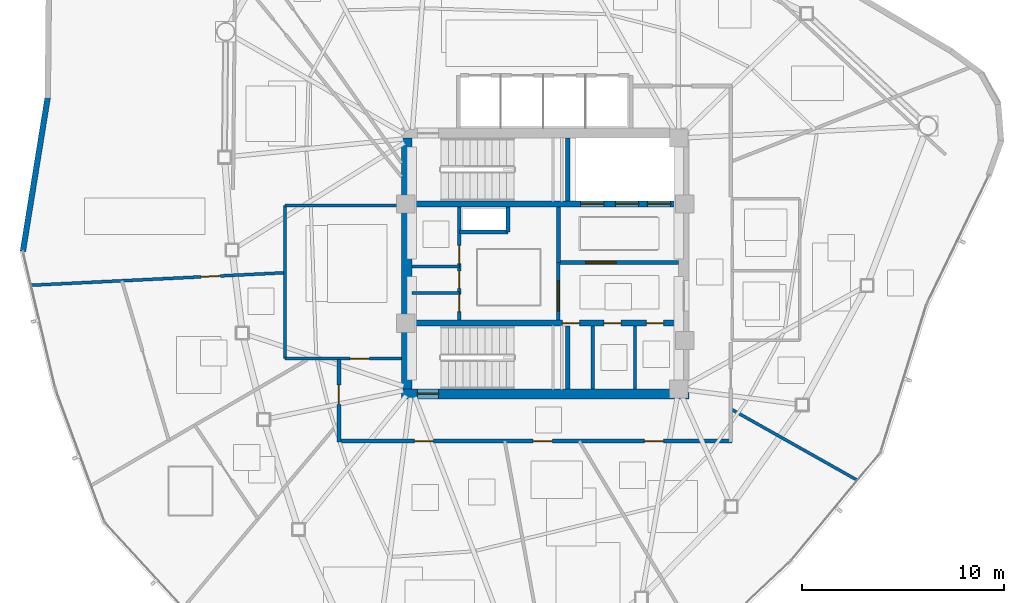
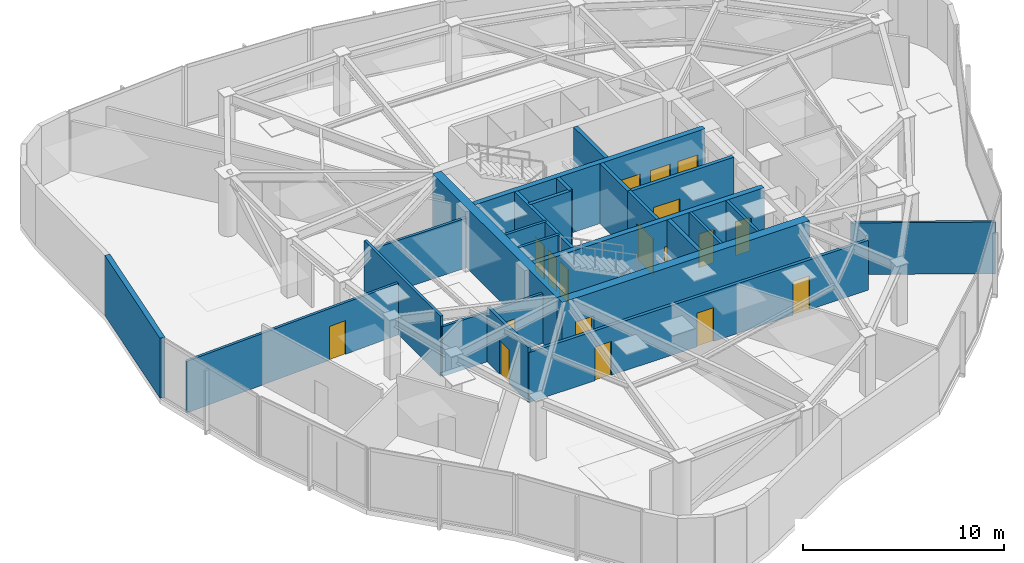
# One storey, part 8 of 13: 24 walls, 18 doors, 18 openings.
"""IFC4 building model written with IfcOpenShell, lengths in metres."""

from ifc_helpers import new_model, si_unit, direction, frame, frame_2d, origin, place, context, subcontext, project, spatial, rectangle, extrude, material, layer, layer_set, type_object, element, fill, save


model = new_model("IFC4")

# Units and contexts
model_context = context("Model", 3, precision=1e-05, world=origin(), true_north=direction((0.0, 1.0)))
body_context = subcontext(model_context, "Body", "Model", "MODEL_VIEW")
ifc_project = project(units=[si_unit("LENGTHUNIT", "METRE"), si_unit("AREAUNIT", "SQUARE_METRE"), si_unit("VOLUMEUNIT", "CUBIC_METRE"), si_unit("PLANEANGLEUNIT", "RADIAN"), si_unit("MASSUNIT", "GRAM", prefix="KILO")], contexts=[model_context])

# Site, building, storey
site_placement = place(None, origin())
site = spatial("IfcSite", under=ifc_project, at=site_placement, CompositionType="ELEMENT")
building_placement = place(site_placement, origin())
building = spatial("IfcBuilding", under=site, at=building_placement, Name="Tavelor Broadcast Tower", CompositionType="ELEMENT")
storey_placement = place(building_placement, frame((0.0, 0.0, 237.949951171875)))
storey = spatial("IfcBuildingStorey", under=building, at=storey_placement, Name="L56", CompositionType="ELEMENT", Elevation=237.949951171875)

# Wall, opening, door
ifc_material_1 = material(Name="Concrete C50/60", Category="concrete")
ifc_layer_1 = layer(ifc_material_1, 0.5)
ifc_layer_set_1 = layer_set([ifc_layer_1], Name="Concrete C50/60")
wall_type_1 = type_object("IfcWallType", Name="Core Shear Wall 500 mm", PredefinedType="SHEAR", material=ifc_layer_set_1)
wall_1_placement = place(storey_placement, frame((42.89990234375, 38.550048828125, 0.0), z_axis=(0.0, 0.0, 1.0), x_axis=(1.0, 0.0, 0.0)))
wall_1 = element("IfcWall", 1, at=wall_1_placement, inside=storey, type_object=wall_type_1, Name="L56 Central Core Shear Wall S", PredefinedType="SHEAR", context=body_context, shape_type="SweptSolid", body=[
    extrude(rectangle(XDim=14.2001953125, YDim=0.5, at=frame_2d((7.10009765625, 0.0))), origin(), (0.0, 0.0, 1.0), 3.650146484375),
])
opening_1_placement = place(wall_1_placement, frame((0.780029296875, 0.0, 0.0)))
opening_1 = element("IfcOpeningElement", 2, at=opening_1_placement, cuts=wall_1, Name="Opening DR11", PredefinedType="OPENING", context=body_context, shape_type="SweptSolid", body=[
    extrude(rectangle(XDim=1.050048828125, YDim=2.199951171875, at=frame_2d((0.52490234375, 1.10009765625))), frame((0.0, 0.260009765625, 0.0), z_axis=(0.0, -1.0, 0.0), x_axis=(1.0, 0.0, 0.0)), (0.0, 0.0, 1.0), 0.52001953125),
])
ifc_material_2 = material(Name="Steel S355", Category="steel")
door_type_1 = type_object("IfcDoorType", Name="Stair Core Fire Escape Door 1050x2200", OperationType="NOTDEFINED", PredefinedType="DOOR", material=ifc_material_2)
door_1_placement = place(opening_1_placement, origin())
door_1 = element("IfcDoor", 3, at=door_1_placement, inside=storey, type_object=door_type_1, Name="L56 Stair ST2 Protected Exit Door", OperationType="SINGLE_SWING_RIGHT", OverallHeight=2.199951171875, OverallWidth=1.050048828125, PredefinedType="DOOR", context=body_context, shape_type="SweptSolid", body=[
    extrude(rectangle(XDim=1.050048828125, YDim=2.199951171875, at=frame_2d((0.52490234375, 1.10009765625))), frame((0.0, 0.02490234375, 0.0), z_axis=(0.0, -1.0, 0.0), x_axis=(1.0, 0.0, 0.0)), (0.0, 0.0, 1.0), 0.050048828125),
])
fill(opening_1, door_1)

# Wall
wall_2_placement = place(storey_placement, frame((43.14990234375, 38.800048828125, 0.0), z_axis=(0.0, 0.0, 1.0), x_axis=(0.0, 1.0, 0.0)))
element("IfcWall", 4, at=wall_2_placement, inside=storey, type_object=wall_type_1, Name="L56 Central Core Shear Wall W", PredefinedType="SHEAR", context=body_context, shape_type="SweptSolid", body=[
    extrude(rectangle(XDim=12.39990234375, YDim=0.5, at=frame_2d((6.199951171875, 0.0))), origin(), (0.0, 0.0, 1.0), 3.650146484375),
])

# Wall, openings, doors
ifc_layer_2 = layer(ifc_material_1, 0.300048828125)
ifc_layer_set_2 = layer_set([ifc_layer_2], Name="Concrete C50/60")
wall_type_2 = type_object("IfcWallType", Name="Core Spine Shear Wall 300 mm C50", PredefinedType="SHEAR", material=ifc_layer_set_2)
wall_3_placement = place(storey_placement, frame((43.39990234375, 47.949951171875, 0.0), z_axis=(0.0, 0.0, 1.0), x_axis=(1.0, 0.0, 0.0)))
wall_3 = element("IfcWall", 5, at=wall_3_placement, inside=storey, type_object=wall_type_2, Name="L56 Central Core Shear Wall SP1", PredefinedType="SHEAR", context=body_context, shape_type="SweptSolid", body=[
    extrude(rectangle(XDim=13.2001953125, YDim=0.300048828125, at=frame_2d((6.60009765625, 0.0))), origin(), (0.0, 0.0, 1.0), 3.650146484375),
])
opening_2_placement = place(wall_3_placement, frame((8.344970703125, 0.0, 0.0)))
opening_2 = element("IfcOpeningElement", 6, at=opening_2_placement, cuts=wall_3, Name="Opening LD02", PredefinedType="OPENING", context=body_context, shape_type="SweptSolid", body=[
    extrude(rectangle(XDim=1.14990234375, YDim=2.199951171875, at=frame_2d((0.574951171875, 1.10009765625))), frame((0.0, 0.16015625, 0.0), z_axis=(0.0, -1.0, 0.0), x_axis=(1.0, 0.0, 0.0)), (0.0, 0.0, 1.0), 0.320068359375),
])
opening_3_placement = place(wall_3_placement, frame((10.06494140625, 0.0, 0.0)))
opening_3 = element("IfcOpeningElement", 7, at=opening_3_placement, cuts=wall_3, Name="Opening LD02", PredefinedType="OPENING", context=body_context, shape_type="SweptSolid", body=[
    extrude(rectangle(XDim=1.14990234375, YDim=2.199951171875, at=frame_2d((0.574951171875, 1.10009765625))), frame((0.0, 0.16015625, 0.0), z_axis=(0.0, -1.0, 0.0), x_axis=(1.0, 0.0, 0.0)), (0.0, 0.0, 1.0), 0.320068359375),
])
opening_4_placement = place(wall_3_placement, frame((11.64501953125, 0.0, 0.0)))
opening_4 = element("IfcOpeningElement", 8, at=opening_4_placement, cuts=wall_3, Name="Opening LD03", PredefinedType="OPENING", context=body_context, shape_type="SweptSolid", body=[
    extrude(rectangle(XDim=1.14990234375, YDim=2.199951171875, at=frame_2d((0.574951171875, 1.10009765625))), frame((0.0, 0.16015625, 0.0), z_axis=(0.0, -1.0, 0.0), x_axis=(1.0, 0.0, 0.0)), (0.0, 0.0, 1.0), 0.320068359375),
])
ifc_material_3 = material(Name="Reinforced Brushed Stainless Steel", Category="concrete")
door_type_2 = type_object("IfcDoorType", Name="Broadcast Goods Lift Sliding Landing Door 1250x2200", OperationType="NOTDEFINED", PredefinedType="DOOR", material=ifc_material_3)
door_2_placement = place(opening_4_placement, origin())
door_2 = element("IfcDoor", 9, at=door_2_placement, inside=storey, type_object=door_type_2, Name="L56 Lift SVL1 Sliding Landing Door", OperationType="SLIDING_TO_LEFT", OverallHeight=2.199951171875, OverallWidth=1.14990234375, PredefinedType="DOOR", context=body_context, shape_type="SweptSolid", body=[
    extrude(rectangle(XDim=1.14990234375, YDim=2.199951171875, at=frame_2d((0.574951171875, 1.10009765625))), frame((0.0, 0.02490234375, 0.0), z_axis=(0.0, -1.0, 0.0), x_axis=(1.0, 0.0, 0.0)), (0.0, 0.0, 1.0), 0.050048828125),
])
fill(opening_4, door_2)
ifc_material_4 = material(Name="Fire-Rated Stainless Steel", Category="steel")
door_type_3 = type_object("IfcDoorType", Name="Firefighting Lift Sliding Landing Door 1200x2200", OperationType="NOTDEFINED", PredefinedType="DOOR", material=ifc_material_4)
door_3_placement = place(opening_2_placement, origin())
door_3 = element("IfcDoor", 10, at=door_3_placement, inside=storey, type_object=door_type_3, Name="L56 Lift FFL1 Sliding Landing Door", OperationType="SLIDING_TO_LEFT", OverallHeight=2.199951171875, OverallWidth=1.14990234375, PredefinedType="DOOR", context=body_context, shape_type="SweptSolid", body=[
    extrude(rectangle(XDim=1.14990234375, YDim=2.199951171875, at=frame_2d((0.574951171875, 1.10009765625))), frame((0.0, 0.02490234375, 0.0), z_axis=(0.0, -1.0, 0.0), x_axis=(1.0, 0.0, 0.0)), (0.0, 0.0, 1.0), 0.050048828125),
])
fill(opening_2, door_3)
door_4_placement = place(opening_3_placement, origin())
door_4 = element("IfcDoor", 11, at=door_4_placement, inside=storey, type_object=door_type_3, Name="L56 Lift FFL2 Sliding Landing Door", OperationType="SLIDING_TO_LEFT", OverallHeight=2.199951171875, OverallWidth=1.14990234375, PredefinedType="DOOR", context=body_context, shape_type="SweptSolid", body=[
    extrude(rectangle(XDim=1.14990234375, YDim=2.199951171875, at=frame_2d((0.574951171875, 1.10009765625))), frame((0.0, 0.02490234375, 0.0), z_axis=(0.0, -1.0, 0.0), x_axis=(1.0, 0.0, 0.0)), (0.0, 0.0, 1.0), 0.050048828125),
])
fill(opening_3, door_4)

wall_4_placement = place(storey_placement, frame((43.39990234375, 42.050048828125, 0.0), z_axis=(0.0, 0.0, 1.0), x_axis=(1.0, 0.0, 0.0)))
wall_4 = element("IfcWall", 12, at=wall_4_placement, inside=storey, type_object=wall_type_2, Name="L56 Central Core Shear Wall SP2", PredefinedType="SHEAR", context=body_context, shape_type="SweptSolid", body=[
    extrude(rectangle(XDim=13.2001953125, YDim=0.300048828125, at=frame_2d((6.60009765625, 0.0))), origin(), (0.0, 0.0, 1.0), 3.650146484375),
])
opening_5_placement = place(wall_4_placement, frame((7.449951171875, 0.0, 0.0)))
opening_5 = element("IfcOpeningElement", 13, at=opening_5_placement, cuts=wall_4, Name="Opening DR36", PredefinedType="OPENING", context=body_context, shape_type="SweptSolid", body=[
    extrude(rectangle(XDim=0.85009765625, YDim=2.050048828125, at=frame_2d((0.425048828125, 1.02490234375))), frame((0.0, 0.16015625, 0.0), z_axis=(0.0, -1.0, 0.0), x_axis=(1.0, 0.0, 0.0)), (0.0, 0.0, 1.0), 0.320068359375),
])
opening_6_placement = place(wall_4_placement, frame((9.5, 0.0, 0.0)))
opening_6 = element("IfcOpeningElement", 14, at=opening_6_placement, cuts=wall_4, Name="Opening DR36", PredefinedType="OPENING", context=body_context, shape_type="SweptSolid", body=[
    extrude(rectangle(XDim=0.85009765625, YDim=2.050048828125, at=frame_2d((0.425048828125, 1.02490234375))), frame((0.0, 0.16015625, 0.0), z_axis=(0.0, -1.0, 0.0), x_axis=(1.0, 0.0, 0.0)), (0.0, 0.0, 1.0), 0.320068359375),
])
opening_7_placement = place(wall_4_placement, frame((11.60009765625, 0.0, 0.0)))
opening_7 = element("IfcOpeningElement", 15, at=opening_7_placement, cuts=wall_4, Name="Opening DR36", PredefinedType="OPENING", context=body_context, shape_type="SweptSolid", body=[
    extrude(rectangle(XDim=0.85009765625, YDim=2.050048828125, at=frame_2d((0.425048828125, 1.02490234375))), frame((0.0, 0.16015625, 0.0), z_axis=(0.0, -1.0, 0.0), x_axis=(1.0, 0.0, 0.0)), (0.0, 0.0, 1.0), 0.320068359375),
])
door_type_4 = type_object("IfcDoorType", Name="Service Room Fire Door 850x2050", OperationType="NOTDEFINED", PredefinedType="DOOR", material=ifc_material_2)
door_5_placement = place(opening_5_placement, origin())
door_5 = element("IfcDoor", 16, at=door_5_placement, inside=storey, type_object=door_type_4, Name="L56 Reclaimed South Core Pod 1 Door", OperationType="SINGLE_SWING_RIGHT", OverallHeight=2.050048828125, OverallWidth=0.85009765625, PredefinedType="DOOR", context=body_context, shape_type="SweptSolid", body=[
    extrude(rectangle(XDim=0.85009765625, YDim=2.050048828125, at=frame_2d((0.425048828125, 1.02490234375))), frame((0.0, 0.02490234375, 0.0), z_axis=(0.0, -1.0, 0.0), x_axis=(1.0, 0.0, 0.0)), (0.0, 0.0, 1.0), 0.050048828125),
])
fill(opening_5, door_5)
door_6_placement = place(opening_6_placement, origin())
door_6 = element("IfcDoor", 17, at=door_6_placement, inside=storey, type_object=door_type_4, Name="L56 Reclaimed South Core Pod 2 Door", OperationType="SINGLE_SWING_LEFT", OverallHeight=2.050048828125, OverallWidth=0.85009765625, PredefinedType="DOOR", context=body_context, shape_type="SweptSolid", body=[
    extrude(rectangle(XDim=0.85009765625, YDim=2.050048828125, at=frame_2d((0.425048828125, 1.02490234375))), frame((0.0, 0.02490234375, 0.0), z_axis=(0.0, -1.0, 0.0), x_axis=(1.0, 0.0, 0.0)), (0.0, 0.0, 1.0), 0.050048828125),
])
fill(opening_6, door_6)
door_7_placement = place(opening_7_placement, origin())
door_7 = element("IfcDoor", 18, at=door_7_placement, inside=storey, type_object=door_type_4, Name="L56 Reclaimed South Core Pod 3 Door", OperationType="SINGLE_SWING_RIGHT", OverallHeight=2.050048828125, OverallWidth=0.85009765625, PredefinedType="DOOR", context=body_context, shape_type="SweptSolid", body=[
    extrude(rectangle(XDim=0.85009765625, YDim=2.050048828125, at=frame_2d((0.425048828125, 1.02490234375))), frame((0.0, 0.02490234375, 0.0), z_axis=(0.0, -1.0, 0.0), x_axis=(1.0, 0.0, 0.0)), (0.0, 0.0, 1.0), 0.050048828125),
])
fill(opening_7, door_7)

# Wall, opening, door
ifc_material_5 = material(Name="Calcium Silicate Fire Board 180 mm", Category="gypsum")
ifc_layer_3 = layer(ifc_material_5, 0.179931640625)
ifc_layer_set_3 = layer_set([ifc_layer_3], Name="Calcium Silicate Fire Board 180 mm")
wall_type_3 = type_object("IfcWallType", Name="Fire-Rated Corridor Partition Wall 180 mm", PredefinedType="PARTITIONING", material=ifc_layer_set_3)
wall_5_placement = place(storey_placement, frame((50.64990234375, 42.199951171875, 0.0), z_axis=(0.0, 0.0, 1.0), x_axis=(0.0, 1.0, 0.0)))
wall_5 = element("IfcWall", 19, at=wall_5_placement, inside=storey, type_object=wall_type_3, Name="L56 Core Lobby Zoning Wall", PredefinedType="PARTITIONING", context=body_context, shape_type="SweptSolid", body=[
    extrude(rectangle(XDim=2.85009765625, YDim=0.179931640625, at=frame_2d((1.425048828125, 0.0))), origin(), (0.0, 0.0, 1.0), 3.650146484375),
])
opening_8_placement = place(wall_5_placement, frame((0.449951171875, 0.0, 0.0)))
opening_8 = element("IfcOpeningElement", 20, at=opening_8_placement, cuts=wall_5, Name="Opening DR14", PredefinedType="OPENING", context=body_context, shape_type="SweptSolid", body=[
    extrude(rectangle(XDim=1.5, YDim=2.199951171875, at=frame_2d((0.75, 1.10009765625))), frame((0.0, 0.10009765625, 0.0), z_axis=(0.0, -1.0, 0.0), x_axis=(1.0, 0.0, 0.0)), (0.0, 0.0, 1.0), 0.199951171875),
])
door_type_5 = type_object("IfcDoorType", Name="Firefighting Lobby Double Fire Door 1500x2200", OperationType="NOTDEFINED", PredefinedType="DOOR", material=ifc_material_2)
door_8_placement = place(opening_8_placement, origin())
door_8 = element("IfcDoor", 21, at=door_8_placement, inside=storey, type_object=door_type_5, Name="L56 Core West Lobby Double Fire Door", OperationType="SINGLE_SWING_LEFT", OverallHeight=2.199951171875, OverallWidth=1.5, PredefinedType="DOOR", context=body_context, shape_type="SweptSolid", body=[
    extrude(rectangle(XDim=1.5, YDim=2.199951171875, at=frame_2d((0.75, 1.10009765625))), frame((0.0, 0.02490234375, 0.0), z_axis=(0.0, -1.0, 0.0), x_axis=(1.0, 0.0, 0.0)), (0.0, 0.0, 1.0), 0.050048828125),
])
fill(opening_8, door_8)

# Wall, openings, doors
wall_6_placement = place(storey_placement, frame((45.75, 42.199951171875, 0.0), z_axis=(0.0, 0.0, 1.0), x_axis=(0.0, 1.0, 0.0)))
wall_6 = element("IfcWall", 22, at=wall_6_placement, inside=storey, type_object=wall_type_3, Name="L56 Core West Service East Wall", PredefinedType="PARTITIONING", context=body_context, shape_type="SweptSolid", body=[
    extrude(rectangle(XDim=5.60009765625, YDim=0.179931640625, at=frame_2d((2.800048828125, 0.0))), origin(), (0.0, 0.0, 1.0), 3.650146484375),
])
opening_9_placement = place(wall_6_placement, frame((0.419921875, 0.0, 0.0)))
opening_9 = element("IfcOpeningElement", 23, at=opening_9_placement, cuts=wall_6, Name="Opening DR36", PredefinedType="OPENING", context=body_context, shape_type="SweptSolid", body=[
    extrude(rectangle(XDim=0.85009765625, YDim=2.050048828125, at=frame_2d((0.425048828125, 1.02490234375))), frame((0.0, 0.10009765625, 0.0), z_axis=(0.0, -1.0, 0.0), x_axis=(1.0, 0.0, 0.0)), (0.0, 0.0, 1.0), 0.199951171875),
])
opening_10_placement = place(wall_6_placement, frame((1.570068359375, 0.0, 0.0)))
opening_10 = element("IfcOpeningElement", 24, at=opening_10_placement, cuts=wall_6, Name="Opening DR36", PredefinedType="OPENING", context=body_context, shape_type="SweptSolid", body=[
    extrude(rectangle(XDim=0.85009765625, YDim=2.050048828125, at=frame_2d((0.425048828125, 1.02490234375))), frame((0.0, 0.10009765625, 0.0), z_axis=(0.0, -1.0, 0.0), x_axis=(1.0, 0.0, 0.0)), (0.0, 0.0, 1.0), 0.199951171875),
])
opening_11_placement = place(wall_6_placement, frame((2.800048828125, 0.0, 0.0)))
opening_11 = element("IfcOpeningElement", 25, at=opening_11_placement, cuts=wall_6, Name="Opening DR32", PredefinedType="OPENING", context=body_context, shape_type="SweptSolid", body=[
    extrude(rectangle(XDim=0.89990234375, YDim=2.050048828125, at=frame_2d((0.449951171875, 1.02490234375))), frame((0.0, 0.10009765625, 0.0), z_axis=(0.0, -1.0, 0.0), x_axis=(1.0, 0.0, 0.0)), (0.0, 0.0, 1.0), 0.199951171875),
])
ifc_material_6 = material(Name="Timber Solid Core Hardwood", Category="wood")
door_type_6 = type_object("IfcDoorType", Name="Accessible Washroom Door 900x2050", OperationType="NOTDEFINED", PredefinedType="DOOR", material=ifc_material_6)
door_9_placement = place(opening_11_placement, origin())
door_9 = element("IfcDoor", 26, at=door_9_placement, inside=storey, type_object=door_type_6, Name="L56 Core Accessible WC Door", OperationType="SINGLE_SWING_LEFT", OverallHeight=2.050048828125, OverallWidth=0.89990234375, PredefinedType="DOOR", context=body_context, shape_type="SweptSolid", body=[
    extrude(rectangle(XDim=0.89990234375, YDim=2.050048828125, at=frame_2d((0.449951171875, 1.02490234375))), frame((0.0, 0.02490234375, 0.0), z_axis=(0.0, -1.0, 0.0), x_axis=(1.0, 0.0, 0.0)), (0.0, 0.0, 1.0), 0.050048828125),
])
fill(opening_11, door_9)
door_10_placement = place(opening_9_placement, origin())
door_10 = element("IfcDoor", 27, at=door_10_placement, inside=storey, type_object=door_type_4, Name="L56 Core Medical Room Door", OperationType="SINGLE_SWING_LEFT", OverallHeight=2.050048828125, OverallWidth=0.85009765625, PredefinedType="DOOR", context=body_context, shape_type="SweptSolid", body=[
    extrude(rectangle(XDim=0.85009765625, YDim=2.050048828125, at=frame_2d((0.425048828125, 1.02490234375))), frame((0.0, 0.02490234375, 0.0), z_axis=(0.0, -1.0, 0.0), x_axis=(1.0, 0.0, 0.0)), (0.0, 0.0, 1.0), 0.050048828125),
])
fill(opening_9, door_10)
door_11_placement = place(opening_10_placement, origin())
door_11 = element("IfcDoor", 28, at=door_11_placement, inside=storey, type_object=door_type_4, Name="L56 Core Copy Room Door", OperationType="SINGLE_SWING_RIGHT", OverallHeight=2.050048828125, OverallWidth=0.85009765625, PredefinedType="DOOR", context=body_context, shape_type="SweptSolid", body=[
    extrude(rectangle(XDim=0.85009765625, YDim=2.050048828125, at=frame_2d((0.425048828125, 1.02490234375))), frame((0.0, 0.02490234375, 0.0), z_axis=(0.0, -1.0, 0.0), x_axis=(1.0, 0.0, 0.0)), (0.0, 0.0, 1.0), 0.050048828125),
])
fill(opening_10, door_11)

wall_7_placement = place(storey_placement, frame((59.22998046875, 36.219970703125, 0.0), z_axis=(0.0, 0.0, 1.0), x_axis=(-1.0, 0.0, 0.0)))
wall_7 = element("IfcWall", 29, at=wall_7_placement, inside=storey, type_object=wall_type_3, Name="L56 Corridor Compartment Wall 04", PredefinedType="PARTITIONING", context=body_context, shape_type="SweptSolid", body=[
    extrude(rectangle(XDim=19.47998046875, YDim=0.179931640625, at=frame_2d((9.739990234375, 0.0))), origin(), (0.0, 0.0, 1.0), 3.025146484375),
])
opening_12_placement = place(wall_7_placement, frame((3.378173828125, 0.0, 0.0)))
opening_12 = element("IfcOpeningElement", 30, at=opening_12_placement, cuts=wall_7, Name="Opening DR18", PredefinedType="OPENING", context=body_context, shape_type="SweptSolid", body=[
    extrude(rectangle(XDim=0.949951171875, YDim=2.050048828125, at=frame_2d((0.47509765625, 1.02490234375))), frame((0.0, 0.10009765625, 0.0), z_axis=(0.0, -1.0, 0.0), x_axis=(1.0, 0.0, 0.0)), (0.0, 0.0, 1.0), 0.199951171875),
])
opening_13_placement = place(wall_7_placement, frame((8.880126953125, 0.0, 0.0)))
opening_13 = element("IfcOpeningElement", 31, at=opening_13_placement, cuts=wall_7, Name="Opening DR18", PredefinedType="OPENING", context=body_context, shape_type="SweptSolid", body=[
    extrude(rectangle(XDim=0.949951171875, YDim=2.050048828125, at=frame_2d((0.47509765625, 1.02490234375))), frame((0.0, 0.10009765625, 0.0), z_axis=(0.0, -1.0, 0.0), x_axis=(1.0, 0.0, 0.0)), (0.0, 0.0, 1.0), 0.199951171875),
])
opening_14_placement = place(wall_7_placement, frame((14.755859375, 0.0, 0.0)))
opening_14 = element("IfcOpeningElement", 32, at=opening_14_placement, cuts=wall_7, Name="Opening DR18", PredefinedType="OPENING", context=body_context, shape_type="SweptSolid", body=[
    extrude(rectangle(XDim=0.949951171875, YDim=2.050048828125, at=frame_2d((0.47509765625, 1.02490234375))), frame((0.0, 0.10009765625, 0.0), z_axis=(0.0, -1.0, 0.0), x_axis=(1.0, 0.0, 0.0)), (0.0, 0.0, 1.0), 0.199951171875),
])
door_type_7 = type_object("IfcDoorType", Name="Corridor Rated Compartment Door 950x2050", OperationType="NOTDEFINED", PredefinedType="DOOR", material=ifc_material_6)
door_12_placement = place(opening_12_placement, origin())
door_12 = element("IfcDoor", 33, at=door_12_placement, inside=storey, type_object=door_type_7, Name="L56 Syndication Legal Office Door R0", OperationType="SINGLE_SWING_RIGHT", OverallHeight=2.050048828125, OverallWidth=0.949951171875, PredefinedType="DOOR", context=body_context, shape_type="SweptSolid", body=[
    extrude(rectangle(XDim=0.949951171875, YDim=2.050048828125, at=frame_2d((0.47509765625, 1.02490234375))), frame((0.0, 0.02490234375, 0.0), z_axis=(0.0, -1.0, 0.0), x_axis=(1.0, 0.0, 0.0)), (0.0, 0.0, 1.0), 0.050048828125),
])
fill(opening_12, door_12)
door_13_placement = place(opening_13_placement, origin())
door_13 = element("IfcDoor", 34, at=door_13_placement, inside=storey, type_object=door_type_7, Name="L56 International Bureau Office Door R1", OperationType="SINGLE_SWING_LEFT", OverallHeight=2.050048828125, OverallWidth=0.949951171875, PredefinedType="DOOR", context=body_context, shape_type="SweptSolid", body=[
    extrude(rectangle(XDim=0.949951171875, YDim=2.050048828125, at=frame_2d((0.47509765625, 1.02490234375))), frame((0.0, 0.02490234375, 0.0), z_axis=(0.0, -1.0, 0.0), x_axis=(1.0, 0.0, 0.0)), (0.0, 0.0, 1.0), 0.050048828125),
])
fill(opening_13, door_13)
door_14_placement = place(opening_14_placement, origin())
door_14 = element("IfcDoor", 35, at=door_14_placement, inside=storey, type_object=door_type_7, Name="L56 Documentary Planning Office Door R2", OperationType="SINGLE_SWING_RIGHT", OverallHeight=2.050048828125, OverallWidth=0.949951171875, PredefinedType="DOOR", context=body_context, shape_type="SweptSolid", body=[
    extrude(rectangle(XDim=0.949951171875, YDim=2.050048828125, at=frame_2d((0.47509765625, 1.02490234375))), frame((0.0, 0.02490234375, 0.0), z_axis=(0.0, -1.0, 0.0), x_axis=(1.0, 0.0, 0.0)), (0.0, 0.0, 1.0), 0.050048828125),
])
fill(opening_14, door_14)

# Wall, opening, door
wall_8_placement = place(storey_placement, frame((39.800048828125, 36.169921875, 0.0), z_axis=(0.0, 0.0, 1.0), x_axis=(0.0, 1.0, 0.0)))
wall_8 = element("IfcWall", 36, at=wall_8_placement, inside=storey, type_object=wall_type_3, Name="L56 Corridor Compartment Wall 05", PredefinedType="PARTITIONING", context=body_context, shape_type="SweptSolid", body=[
    extrude(rectangle(XDim=4.080078125, YDim=0.179931640625, at=frame_2d((2.0400390625, 0.0))), origin(), (0.0, 0.0, 1.0), 3.324951171875),
])
opening_15_placement = place(wall_8_placement, frame((1.86767578125, 0.0, 0.0)))
opening_15 = element("IfcOpeningElement", 37, at=opening_15_placement, cuts=wall_8, Name="Opening DR18", PredefinedType="OPENING", context=body_context, shape_type="SweptSolid", body=[
    extrude(rectangle(XDim=0.949951171875, YDim=2.050048828125, at=frame_2d((0.47509765625, 1.02490234375))), frame((0.0, 0.10009765625, 0.0), z_axis=(0.0, -1.0, 0.0), x_axis=(1.0, 0.0, 0.0)), (0.0, 0.0, 1.0), 0.199951171875),
])
door_15_placement = place(opening_15_placement, origin())
door_15 = element("IfcDoor", 38, at=door_15_placement, inside=storey, type_object=door_type_7, Name="L56 Press Concierge Desk Door R10", OperationType="SINGLE_SWING_LEFT", OverallHeight=2.050048828125, OverallWidth=0.949951171875, PredefinedType="DOOR", context=body_context, shape_type="SweptSolid", body=[
    extrude(rectangle(XDim=0.949951171875, YDim=2.050048828125, at=frame_2d((0.47509765625, 1.02490234375))), frame((0.0, 0.02490234375, 0.0), z_axis=(0.0, -1.0, 0.0), x_axis=(1.0, 0.0, 0.0)), (0.0, 0.0, 1.0), 0.050048828125),
])
fill(opening_15, door_15)

# Walls
ifc_material_7 = material(Name="Precast Concrete C40/50", Category="concrete")
ifc_layer_4 = layer(ifc_material_7, 0.280029296875)
ifc_layer_set_4 = layer_set([ifc_layer_4], Name="Precast Concrete C40/50")
wall_type_4 = type_object("IfcWallType", Name="Insulated Precast Terracotta Facade Wall 280 mm", PredefinedType="STANDARD", material=ifc_layer_set_4)
wall_9_placement = place(storey_placement, frame((25.396484375, 53.21435546875, 0.0), z_axis=(0.0, 0.0, 1.0), x_axis=(-0.159151844827, -0.987254116369, 0.0)))
element("IfcWall", 39, at=wall_9_placement, inside=storey, type_object=wall_type_4, Name="L56 Rounded Corner Structural Cladding Pier 06", PredefinedType="STANDARD", context=body_context, shape_type="SweptSolid", body=[
    extrude(rectangle(XDim=7.714599609375, YDim=0.280029296875, at=frame_2d((3.857421875, 0.0))), origin(), (0.0, 0.0, 1.0), 3.650146484375),
])
ifc_material_8 = material(Name="Gypsum Acoustic Plasterboard 150 mm", Category="gypsum")
ifc_layer_5 = layer(ifc_material_8, 0.14990234375)
ifc_layer_set_5 = layer_set([ifc_layer_5], Name="Gypsum Acoustic Plasterboard 150 mm")
wall_type_5 = type_object("IfcWallType", Name="Interior Acoustic Partition Wall 150 mm", PredefinedType="PARTITIONING", material=ifc_layer_set_5)
for number, where, z_axis, x_axis, name in (
    (40, (52.35009765625, 38.800048828125, 0.0), (0.0, 0.0, 1.0), (0.0, 1.0, 0.0), "L56 Reclaimed South Core Divider 1"),
    (41, (54.449951171875, 38.800048828125, 0.0), (0.0, 0.0, 1.0), (0.0, 1.0, 0.0), "L56 Reclaimed South Core Divider 2"),
):
    element("IfcWall", number, at=place(storey_placement, frame(where, z_axis=z_axis, x_axis=x_axis)), inside=storey, type_object=wall_type_5, Name=name, PredefinedType="PARTITIONING", context=body_context, shape_type="SweptSolid", body=[
        extrude(rectangle(XDim=3.099853515625, YDim=0.14990234375, at=frame_2d((1.5498046875, 0.0))), origin(), (0.0, 0.0, 1.0), 3.650146484375),
    ])
for number, where, z_axis, x_axis, name in (
    (42, (43.39990234375, 43.550048828125, 0.0), (0.0, 0.0, 1.0), (1.0, 0.0, 0.0), "L56 Core Split Wall B1"),
    (43, (43.39990234375, 44.85009765625, 0.0), (0.0, 0.0, 1.0), (1.0, 0.0, 0.0), "L56 Core Split Wall B2"),
):
    element("IfcWall", number, at=place(storey_placement, frame(where, z_axis=z_axis, x_axis=x_axis)), inside=storey, type_object=wall_type_5, Name=name, PredefinedType="PARTITIONING", context=body_context, shape_type="SweptSolid", body=[
        extrude(rectangle(XDim=2.35009765625, YDim=0.14990234375, at=frame_2d((1.175048828125, 0.0))), origin(), (0.0, 0.0, 1.0), 3.650146484375),
    ])

# Wall, opening, door
wall_10_placement = place(storey_placement, frame((37.139892578125, 40.300048828125, 0.0), z_axis=(0.0, 0.0, 1.0), x_axis=(1.0, 0.0, 0.0)))
wall_10 = element("IfcWall", 44, at=wall_10_placement, inside=storey, type_object=wall_type_5, Name="L56 Reclaimed Shaft Pantry South Wall", PredefinedType="PARTITIONING", context=body_context, shape_type="SweptSolid", body=[
    extrude(rectangle(XDim=5.760009765625, YDim=0.14990234375, at=frame_2d((2.8798828125, 0.0))), origin(), (0.0, 0.0, 1.0), 3.025146484375),
])
opening_16_placement = place(wall_10_placement, frame((3.2099609375, 0.0, 0.0)))
opening_16 = element("IfcOpeningElement", 45, at=opening_16_placement, cuts=wall_10, Name="Opening DR18", PredefinedType="OPENING", context=body_context, shape_type="SweptSolid", body=[
    extrude(rectangle(XDim=0.949951171875, YDim=2.050048828125, at=frame_2d((0.47509765625, 1.02490234375))), frame((0.0, 0.0849609375, 0.0), z_axis=(0.0, -1.0, 0.0), x_axis=(1.0, 0.0, 0.0)), (0.0, 0.0, 1.0), 0.169921875),
])
door_16_placement = place(opening_16_placement, origin())
door_16 = element("IfcDoor", 46, at=door_16_placement, inside=storey, type_object=door_type_7, Name="L56 Broadcast IT Patch and Pantry Door", OperationType="SINGLE_SWING_LEFT", OverallHeight=2.050048828125, OverallWidth=0.949951171875, PredefinedType="DOOR", context=body_context, shape_type="SweptSolid", body=[
    extrude(rectangle(XDim=0.949951171875, YDim=2.050048828125, at=frame_2d((0.47509765625, 1.02490234375))), frame((0.0, 0.02490234375, 0.0), z_axis=(0.0, -1.0, 0.0), x_axis=(1.0, 0.0, 0.0)), (0.0, 0.0, 1.0), 0.050048828125),
])
fill(opening_16, door_16)

# Walls
wall_11_placement = place(storey_placement, frame((37.139892578125, 40.300048828125, 0.0), z_axis=(0.0, 0.0, 1.0), x_axis=(0.0, 1.0, 0.0)))
element("IfcWall", 47, at=wall_11_placement, inside=storey, type_object=wall_type_5, Name="L56 Reclaimed Shaft Pantry West Wall", PredefinedType="PARTITIONING", context=body_context, shape_type="SweptSolid", body=[
    extrude(rectangle(XDim=7.579833984375, YDim=0.14990234375, at=frame_2d((3.7900390625, 0.0))), origin(), (0.0, 0.0, 1.0), 3.650146484375),
])
wall_12_placement = place(storey_placement, frame((37.139892578125, 47.8798828125, 0.0), z_axis=(0.0, 0.0, 1.0), x_axis=(1.0, 0.0, 0.0)))
element("IfcWall", 48, at=wall_12_placement, inside=storey, type_object=wall_type_5, Name="L56 Reclaimed Shaft Pantry North Wall", PredefinedType="PARTITIONING", context=body_context, shape_type="SweptSolid", body=[
    extrude(rectangle(XDim=5.760009765625, YDim=0.14990234375, at=frame_2d((2.8798828125, 0.0))), origin(), (0.0, 0.0, 1.0), 3.025146484375),
])

# Wall, opening, door
wall_13_placement = place(storey_placement, frame((37.080078125, 44.541015625, 0.0), z_axis=(0.0, 0.0, 1.0), x_axis=(-0.998789781413, -0.049183051404, 0.0)))
wall_13 = element("IfcWall", 49, at=wall_13_placement, inside=storey, type_object=wall_type_5, Name="L56 Radial Compartment Wall 04", PredefinedType="PARTITIONING", context=body_context, shape_type="SweptSolid", body=[
    extrude(rectangle(XDim=12.538818359375, YDim=0.14990234375, at=frame_2d((6.26953125, 0.0))), origin(), (0.0, 0.0, 1.0), 3.135009765625),
])
opening_17_placement = place(wall_13_placement, frame((3.14990234375, 0.0, 0.0)))
opening_17 = element("IfcOpeningElement", 50, at=opening_17_placement, cuts=wall_13, Name="Opening DR18", PredefinedType="OPENING", context=body_context, shape_type="SweptSolid", body=[
    extrude(rectangle(XDim=0.949951171875, YDim=2.050048828125, at=frame_2d((0.47509765625, 1.02490234375))), frame((0.0, 0.0849609375, 0.0), z_axis=(0.0, -1.0, 0.0), x_axis=(1.0, 0.0, 0.0)), (0.0, 0.0, 1.0), 0.169921875),
])
door_17_placement = place(opening_17_placement, origin())
door_17 = element("IfcDoor", 51, at=door_17_placement, inside=storey, type_object=door_type_7, Name="L56 Suite Connecting Door 9", OperationType="SINGLE_SWING_LEFT", OverallHeight=2.050048828125, OverallWidth=0.949951171875, PredefinedType="DOOR", context=body_context, shape_type="SweptSolid", body=[
    extrude(rectangle(XDim=0.949951171875, YDim=2.050048828125, at=frame_2d((0.47509765625, 1.02490234375))), frame((0.0, 0.02490234375, 0.0), z_axis=(0.0, -1.0, 0.0), x_axis=(1.0, 0.0, 0.0)), (0.0, 0.0, 1.0), 0.050048828125),
])
fill(opening_17, door_17)

# Walls
wall_14_placement = place(storey_placement, frame((59.179931640625, 37.80419921875, 0.0), z_axis=(0.0, 0.0, 1.0), x_axis=(0.871363325643, -0.490638313551, 0.0)))
element("IfcWall", 52, at=wall_14_placement, inside=storey, type_object=wall_type_5, Name="L56 Radial Compartment Wall 09", PredefinedType="PARTITIONING", context=body_context, shape_type="SweptSolid", body=[
    extrude(rectangle(XDim=7.1923828125, YDim=0.14990234375, at=frame_2d((3.59619140625, 0.0))), origin(), (0.0, 0.0, 1.0), 3.135009765625),
])
ifc_material_9 = material(Name="Concrete Blockwork 200 mm", Category="masonry")
ifc_layer_6 = layer(ifc_material_9, 0.199951171875)
ifc_layer_set_6 = layer_set([ifc_layer_6], Name="Concrete Blockwork 200 mm")
wall_type_6 = type_object("IfcWallType", Name="Lift and Riser Shaft Enclosure Wall 200 mm", PredefinedType="PARTITIONING", material=ifc_layer_set_6)
wall_15_placement = place(storey_placement, frame((45.75, 46.550048828125, 0.0), z_axis=(0.0, 0.0, 1.0), x_axis=(1.0, 0.0, 0.0)))
element("IfcWall", 53, at=wall_15_placement, inside=storey, type_object=wall_type_6, Name="L56 Riser Shaft South Wall", PredefinedType="PARTITIONING", context=body_context, shape_type="SweptSolid", body=[
    extrude(rectangle(XDim=2.39990234375, YDim=0.199951171875, at=frame_2d((1.199951171875, 0.0))), origin(), (0.0, 0.0, 1.0), 3.650146484375),
])
wall_16_placement = place(storey_placement, frame((48.14990234375, 46.550048828125, 0.0), z_axis=(0.0, 0.0, 1.0), x_axis=(0.0, 1.0, 0.0)))
element("IfcWall", 54, at=wall_16_placement, inside=storey, type_object=wall_type_6, Name="L56 Riser Shaft East Wall", PredefinedType="PARTITIONING", context=body_context, shape_type="SweptSolid", body=[
    extrude(rectangle(XDim=1.25, YDim=0.199951171875, at=frame_2d((0.625, 0.0))), origin(), (0.0, 0.0, 1.0), 3.650146484375),
])

# Wall, opening, door
wall_17_placement = place(storey_placement, frame((50.64990234375, 45.050048828125, 0.0), z_axis=(0.0, 0.0, 1.0), x_axis=(1.0, 0.0, 0.0)))
wall_17 = element("IfcWall", 55, at=wall_17_placement, inside=storey, type_object=wall_type_6, Name="L56 Firefighting Lobby South Wall", PredefinedType="PARTITIONING", context=body_context, shape_type="SweptSolid", body=[
    extrude(rectangle(XDim=5.9501953125, YDim=0.199951171875, at=frame_2d((2.97509765625, 0.0))), origin(), (0.0, 0.0, 1.0), 3.650146484375),
])
opening_18_placement = place(wall_17_placement, frame((1.35009765625, 0.0, 0.0)))
opening_18 = element("IfcOpeningElement", 56, at=opening_18_placement, cuts=wall_17, Name="Opening DR14", PredefinedType="OPENING", context=body_context, shape_type="SweptSolid", body=[
    extrude(rectangle(XDim=1.5, YDim=2.199951171875, at=frame_2d((0.75, 1.10009765625))), frame((0.0, 0.10986328125, 0.0), z_axis=(0.0, -1.0, 0.0), x_axis=(1.0, 0.0, 0.0)), (0.0, 0.0, 1.0), 0.219970703125),
])
door_18_placement = place(opening_18_placement, origin())
door_18 = element("IfcDoor", 57, at=door_18_placement, inside=storey, type_object=door_type_5, Name="L56 Firefighting Lobby Compartment Door", OperationType="SINGLE_SWING_RIGHT", OverallHeight=2.199951171875, OverallWidth=1.5, PredefinedType="DOOR", context=body_context, shape_type="SweptSolid", body=[
    extrude(rectangle(XDim=1.5, YDim=2.199951171875, at=frame_2d((0.75, 1.10009765625))), frame((0.0, 0.02490234375, 0.0), z_axis=(0.0, -1.0, 0.0), x_axis=(1.0, 0.0, 0.0)), (0.0, 0.0, 1.0), 0.050048828125),
])
fill(opening_18, door_18)

# Walls
wall_18_placement = place(storey_placement, frame((50.64990234375, 45.050048828125, 0.0), z_axis=(0.0, 0.0, 1.0), x_axis=(0.0, 1.0, 0.0)))
element("IfcWall", 58, at=wall_18_placement, inside=storey, type_object=wall_type_6, Name="L56 Firefighting Lobby West Wall", PredefinedType="PARTITIONING", context=body_context, shape_type="SweptSolid", body=[
    extrude(rectangle(XDim=2.75, YDim=0.199951171875, at=frame_2d((1.375, 0.0))), origin(), (0.0, 0.0, 1.0), 3.650146484375),
])
ifc_material_10 = material(Name="Concrete C40/50", Category="concrete")
ifc_layer_7 = layer(ifc_material_10, 0.219970703125)
ifc_layer_set_7 = layer_set([ifc_layer_7], Name="Concrete C40/50")
wall_type_7 = type_object("IfcWallType", Name="Structural Stairwell Shear Wall 220 mm", PredefinedType="SHEAR", material=ifc_layer_set_7)
for number, where, z_axis, x_axis, name in (
    (59, (51.110107421875, 48.10009765625, 0.0), (0.0, 0.0, 1.0), (0.0, 1.0, 0.0), "L56 Stair ST1 Structural Shaft Wall"),
    (60, (51.110107421875, 38.800048828125, 0.0), (0.0, 0.0, 1.0), (0.0, 1.0, 0.0), "L56 Stair ST2 Structural Shaft Wall"),
):
    element("IfcWall", number, at=place(storey_placement, frame(where, z_axis=z_axis, x_axis=x_axis)), inside=storey, type_object=wall_type_7, Name=name, PredefinedType="SHEAR", context=body_context, shape_type="SweptSolid", body=[
        extrude(rectangle(XDim=3.099853515625, YDim=0.219970703125, at=frame_2d((1.5498046875, 0.0))), origin(), (0.0, 0.0, 1.0), 3.650146484375),
    ])

save(model, "model.ifc")
